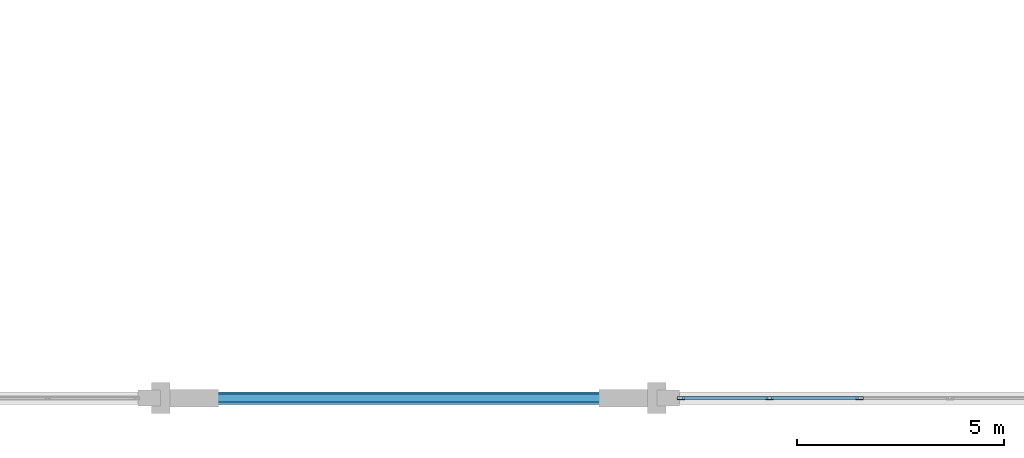
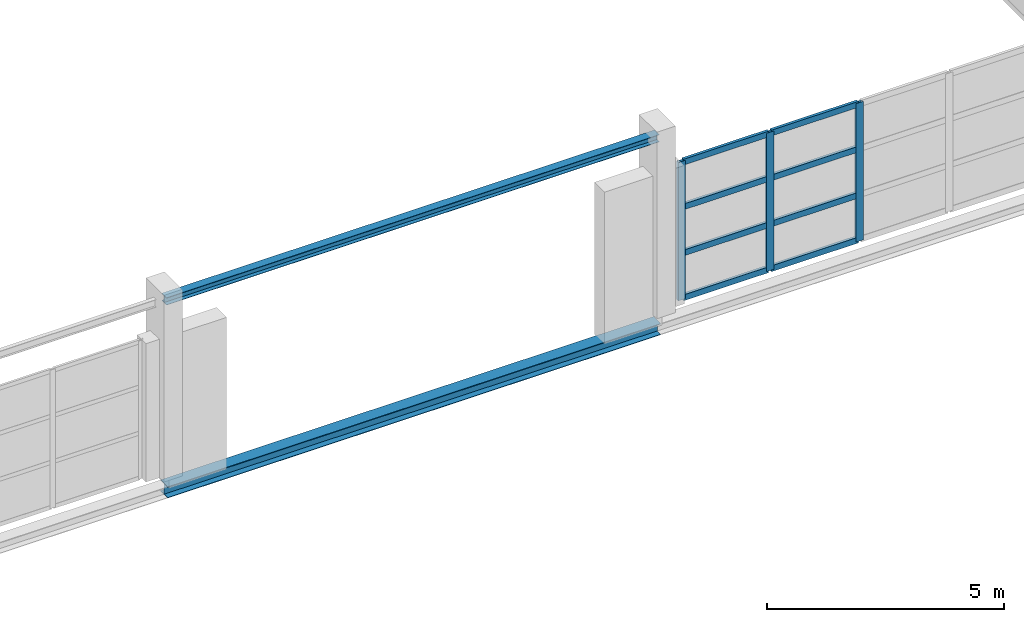
# One storey, part 82 of 147: 11 members, 2 beams, 1 element without a shape of its own.
"""IFC4 building model written with IfcOpenShell, lengths in metres."""

from ifc_helpers import new_model, si_unit, direction, frame, origin, origin_2d, place, context, subcontext, project, spatial, hollow_rectangle, i_section, extrude, material, layer, layer_set, material_profile, profile_set, type_object, element, aggregate, save


model = new_model("IFC4")

# Units and contexts
model_context = context("Model", 3, precision=1e-05, world=origin(), true_north=direction((0.0, 1.0)))
body_context = subcontext(model_context, "Body", "Model", "MODEL_VIEW")
ifc_project = project(units=[si_unit("LENGTHUNIT", "METRE"), si_unit("AREAUNIT", "SQUARE_METRE"), si_unit("VOLUMEUNIT", "CUBIC_METRE"), si_unit("PLANEANGLEUNIT", "RADIAN"), si_unit("MASSUNIT", "GRAM", prefix="KILO")], contexts=[model_context])

# Site, building, storey
site_placement = place(None, origin())
site = spatial("IfcSite", under=ifc_project, at=site_placement, CompositionType="ELEMENT")
building_placement = place(site_placement, origin())
building = spatial("IfcBuilding", under=site, at=building_placement, Name="Zilviju Railside Exhibition Hall", CompositionType="ELEMENT")
storey_placement = place(building_placement, frame((0.0, 0.0, 8.39990234375)))
storey = spatial("IfcBuildingStorey", under=building, at=storey_placement, Name="L03", CompositionType="ELEMENT", Elevation=8.39990234375)

# Beams
ifc_material_1 = material(Name="Steel S355ML", Category="steel")
ifc_material_profile_1 = material_profile(ifc_material_1, i_section(OverallWidth=0.199951171875, OverallDepth=0.18994140625, WebThickness=0.006591796875, FlangeThickness=0.010009765625, at=origin_2d()), Name="HEA 200")
ifc_profile_set_1 = profile_set([ifc_material_profile_1], Name="Steel S355ML")
beam_type_1 = type_object("IfcBeamType", Name="BM-HEA200", PredefinedType="LINTEL", material=ifc_profile_set_1)
beam_1_placement = place(storey_placement, frame((192.0, 0.0, 4.400146484375), z_axis=(1.0, 0.0, 0.0), x_axis=(0.0, 1.0, 0.0)))
element("IfcBeam", 1, at=beam_1_placement, inside=storey, type_object=beam_type_1, Name="Eave & Portal Spandrel Lintel 010", PredefinedType="LINTEL", context=body_context, shape_type="SweptSolid", body=[
    extrude(i_section(OverallWidth=0.199951171875, OverallDepth=0.18994140625, WebThickness=0.006591796875, FlangeThickness=0.010009765625, at=origin_2d()), origin(), (0.0, 0.0, 1.0), 12.0),
])
ifc_material_2 = material(Name="Steel S355J2", Category="steel")
ifc_material_profile_2 = material_profile(ifc_material_2, i_section(OverallWidth=0.300048828125, OverallDepth=0.2900390625, WebThickness=0.008544921875, FlangeThickness=0.013916015625, at=origin_2d()), Name="HEA 300")
ifc_profile_set_2 = profile_set([ifc_material_profile_2], Name="Steel S355J2")
beam_type_2 = type_object("IfcBeamType", Name="BM-HEA300", PredefinedType="SPANDREL", material=ifc_profile_set_2)
beam_2_placement = place(storey_placement, frame((192.0, 0.0, -0.48486328125), z_axis=(1.0, 0.0, 0.0), x_axis=(0.0, 1.0, 0.0)))
element("IfcBeam", 2, at=beam_2_placement, inside=storey, type_object=beam_type_2, Name="Primary Girder L03 Y=0.0 (192.0..204.0)", PredefinedType="SPANDREL", context=body_context, shape_type="SweptSolid", body=[
    extrude(i_section(OverallWidth=0.300048828125, OverallDepth=0.2900390625, WebThickness=0.008544921875, FlangeThickness=0.013916015625, at=origin_2d()), origin(), (0.0, 0.0, 1.0), 12.0),
])

# Curtain wall, members
ifc_material_3 = material(Name="Thermally broken aluminium-steel triple-glazed curtain wall", Category="steel")
ifc_layer = layer(ifc_material_3, 0.179931640625)
ifc_layer_set = layer_set([ifc_layer], Name="Thermally broken aluminium-steel triple-glazed curtain wall")
curtain_wall_type = type_object("IfcCurtainWallType", Name="CW-BAY-03", PredefinedType="USERDEFINED", material=ifc_layer_set)
curtain_wall_placement = place(storey_placement, origin())
curtain_wall = element("IfcCurtainWall", 3, at=curtain_wall_placement, inside=storey, type_object=curtain_wall_type, Name="South Hall Facade Curtain Wall L03 (204..216)", ObjectType="GLAZED CURTAIN WALL", PredefinedType="USERDEFINED")
ifc_material_4 = material(Name="Thermally broken anodized aluminium mullion", Category="aluminium")
ifc_material_profile_3 = material_profile(ifc_material_4, hollow_rectangle(XDim=0.070068359375, YDim=0.179931640625, WallThickness=0.0048828125, at=origin_2d()), Name="MULLION 180x70x5")
ifc_profile_set_3 = profile_set([ifc_material_profile_3], Name="Thermally broken anodized aluminium mullion")
member_type_1 = type_object("IfcMemberType", Name="CWM-70x180", PredefinedType="MULLION", material=ifc_profile_set_3)
member_1_placement = place(storey_placement, frame((208.909912109375, 0.0, 0.0), z_axis=(0.0, 0.0, 1.0), x_axis=(0.0, -1.0, 0.0)))
member_1 = element("IfcMember", 4, at=member_1_placement, type_object=member_type_1, Name="CW-03 mullion 4", PredefinedType="MULLION", context=body_context, shape_type="SweptSolid", body=[
    extrude(hollow_rectangle(XDim=0.070068359375, YDim=0.179931640625, WallThickness=0.0048828125, at=origin_2d()), origin(), (0.0, 0.0, 1.0), 3.56005859375),
])
member_2_placement = place(storey_placement, frame((206.72998046875, 0.0, 0.0), z_axis=(0.0, 0.0, 1.0), x_axis=(0.0, -1.0, 0.0)))
member_2 = element("IfcMember", 5, at=member_2_placement, type_object=member_type_1, Name="CW-03 mullion 5", PredefinedType="MULLION", context=body_context, shape_type="SweptSolid", body=[
    extrude(hollow_rectangle(XDim=0.070068359375, YDim=0.179931640625, WallThickness=0.0048828125, at=origin_2d()), origin(), (0.0, 0.0, 1.0), 3.56005859375),
])
member_3_placement = place(storey_placement, frame((204.5849609375, 0.0, 0.0), z_axis=(0.0, 0.0, 1.0), x_axis=(0.0, -1.0, 0.0)))
member_3 = element("IfcMember", 6, at=member_3_placement, type_object=member_type_1, Name="CW-03 mullion 6", PredefinedType="MULLION", context=body_context, shape_type="SweptSolid", body=[
    extrude(hollow_rectangle(XDim=0.070068359375, YDim=0.179931640625, WallThickness=0.0048828125, at=origin_2d()), origin(), (0.0, 0.0, 1.0), 3.56005859375),
])
ifc_material_5 = material(Name="Thermally broken anodized aluminium transom", Category="aluminium")
ifc_material_profile_4 = material_profile(ifc_material_5, hollow_rectangle(XDim=0.070068359375, YDim=0.14990234375, WallThickness=0.0048828125, at=origin_2d()), Name="TRANSOM 150x70x5")
ifc_profile_set_4 = profile_set([ifc_material_profile_4], Name="Thermally broken anodized aluminium transom")
member_type_2 = type_object("IfcMemberType", Name="CWT-70x150", PredefinedType="USERDEFINED", material=ifc_profile_set_4)
member_4_placement = place(storey_placement, frame((208.875, 0.0, 0.03515625), z_axis=(-1.0, 0.0, 0.0), x_axis=(0.0, -1.0, 0.0)))
member_4 = element("IfcMember", 7, at=member_4_placement, type_object=member_type_2, Name="CW-03 transom 4.1", ObjectType="TRANSOM", PredefinedType="USERDEFINED", context=body_context, shape_type="SweptSolid", body=[
    extrude(hollow_rectangle(XDim=0.070068359375, YDim=0.14990234375, WallThickness=0.0048828125, at=origin_2d()), origin(), (0.0, 0.0, 1.0), 2.110107421875),
])
member_5_placement = place(storey_placement, frame((208.875, 0.0, 1.18701171875), z_axis=(-1.0, 0.0, 0.0), x_axis=(0.0, -1.0, 0.0)))
member_5 = element("IfcMember", 8, at=member_5_placement, type_object=member_type_2, Name="CW-03 transom 4.2", ObjectType="TRANSOM", PredefinedType="USERDEFINED", context=body_context, shape_type="SweptSolid", body=[
    extrude(hollow_rectangle(XDim=0.070068359375, YDim=0.14990234375, WallThickness=0.0048828125, at=origin_2d()), origin(), (0.0, 0.0, 1.0), 2.110107421875),
])
member_6_placement = place(storey_placement, frame((208.875, 0.0, 2.373046875), z_axis=(-1.0, 0.0, 0.0), x_axis=(0.0, -1.0, 0.0)))
member_6 = element("IfcMember", 9, at=member_6_placement, type_object=member_type_2, Name="CW-03 transom 4.3", ObjectType="TRANSOM", PredefinedType="USERDEFINED", context=body_context, shape_type="SweptSolid", body=[
    extrude(hollow_rectangle(XDim=0.070068359375, YDim=0.14990234375, WallThickness=0.0048828125, at=origin_2d()), origin(), (0.0, 0.0, 1.0), 2.110107421875),
])
member_7_placement = place(storey_placement, frame((208.875, 0.0, 3.525146484375), z_axis=(-1.0, 0.0, 0.0), x_axis=(0.0, -1.0, 0.0)))
member_7 = element("IfcMember", 10, at=member_7_placement, type_object=member_type_2, Name="CW-03 transom 4.4", ObjectType="TRANSOM", PredefinedType="USERDEFINED", context=body_context, shape_type="SweptSolid", body=[
    extrude(hollow_rectangle(XDim=0.070068359375, YDim=0.14990234375, WallThickness=0.0048828125, at=origin_2d()), origin(), (0.0, 0.0, 1.0), 2.110107421875),
])
member_8_placement = place(storey_placement, frame((206.695068359375, 0.0, 0.03515625), z_axis=(-1.0, 0.0, 0.0), x_axis=(0.0, -1.0, 0.0)))
member_8 = element("IfcMember", 11, at=member_8_placement, type_object=member_type_2, Name="CW-03 transom 5.1", ObjectType="TRANSOM", PredefinedType="USERDEFINED", context=body_context, shape_type="SweptSolid", body=[
    extrude(hollow_rectangle(XDim=0.070068359375, YDim=0.14990234375, WallThickness=0.0048828125, at=origin_2d()), origin(), (0.0, 0.0, 1.0), 2.074951171875),
])
member_9_placement = place(storey_placement, frame((206.695068359375, 0.0, 1.18701171875), z_axis=(-1.0, 0.0, 0.0), x_axis=(0.0, -1.0, 0.0)))
member_9 = element("IfcMember", 12, at=member_9_placement, type_object=member_type_2, Name="CW-03 transom 5.2", ObjectType="TRANSOM", PredefinedType="USERDEFINED", context=body_context, shape_type="SweptSolid", body=[
    extrude(hollow_rectangle(XDim=0.070068359375, YDim=0.14990234375, WallThickness=0.0048828125, at=origin_2d()), origin(), (0.0, 0.0, 1.0), 2.074951171875),
])
member_10_placement = place(storey_placement, frame((206.695068359375, 0.0, 2.373046875), z_axis=(-1.0, 0.0, 0.0), x_axis=(0.0, -1.0, 0.0)))
member_10 = element("IfcMember", 13, at=member_10_placement, type_object=member_type_2, Name="CW-03 transom 5.3", ObjectType="TRANSOM", PredefinedType="USERDEFINED", context=body_context, shape_type="SweptSolid", body=[
    extrude(hollow_rectangle(XDim=0.070068359375, YDim=0.14990234375, WallThickness=0.0048828125, at=origin_2d()), origin(), (0.0, 0.0, 1.0), 2.074951171875),
])
member_11_placement = place(storey_placement, frame((206.695068359375, 0.0, 3.525146484375), z_axis=(-1.0, 0.0, 0.0), x_axis=(0.0, -1.0, 0.0)))
member_11 = element("IfcMember", 14, at=member_11_placement, type_object=member_type_2, Name="CW-03 transom 5.4", ObjectType="TRANSOM", PredefinedType="USERDEFINED", context=body_context, shape_type="SweptSolid", body=[
    extrude(hollow_rectangle(XDim=0.070068359375, YDim=0.14990234375, WallThickness=0.0048828125, at=origin_2d()), origin(), (0.0, 0.0, 1.0), 2.074951171875),
])
aggregate(curtain_wall, [member_1, member_2, member_3, member_4, member_5, member_6, member_7, member_8, member_9, member_10, member_11])

save(model, "model.ifc")
